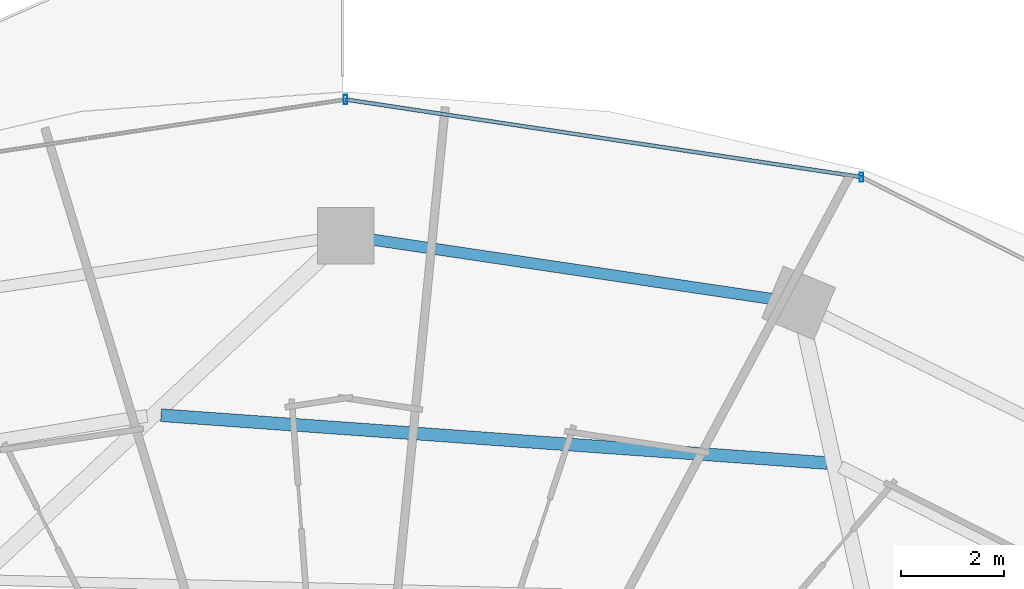
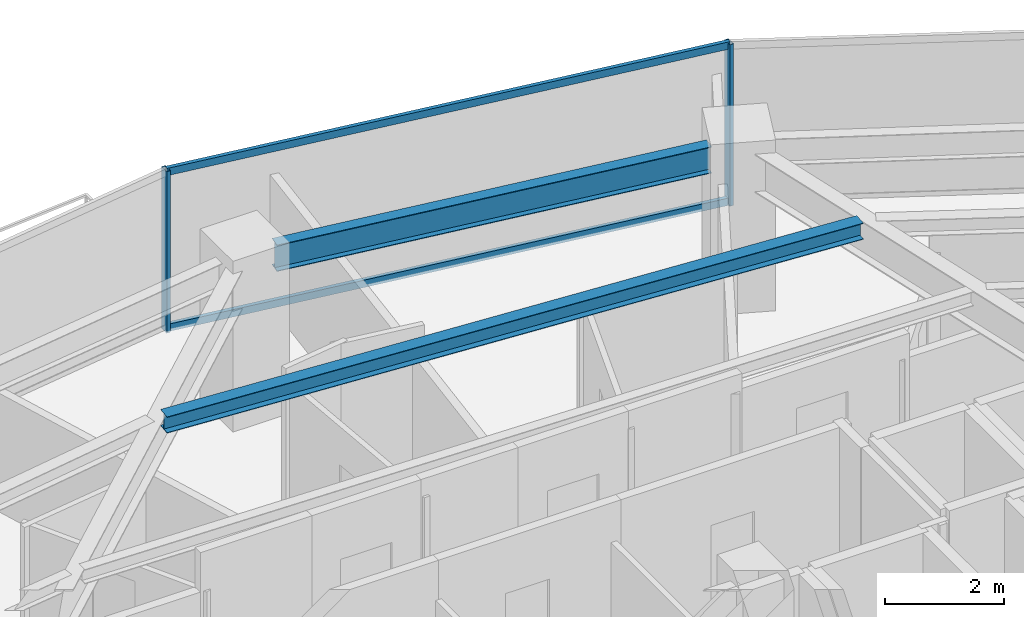
# One storey, part 18 of 29: 4 members, 2 beams, 1 element without a shape of its own.
"""IFC4 building model written with IfcOpenShell, lengths in metres."""

from ifc_helpers import new_model, si_unit, direction, frame, origin, origin_2d, place, context, subcontext, project, spatial, hollow_rectangle, i_section, extrude, material, material_profile, profile_set, type_object, element, aggregate, save


model = new_model("IFC4")

# Units and contexts
model_context = context("Model", 3, precision=1e-05, world=origin(), true_north=direction((0.0, 1.0)))
body_context = subcontext(model_context, "Body", "Model", "MODEL_VIEW")
ifc_project = project(units=[si_unit("LENGTHUNIT", "METRE"), si_unit("AREAUNIT", "SQUARE_METRE"), si_unit("VOLUMEUNIT", "CUBIC_METRE"), si_unit("PLANEANGLEUNIT", "RADIAN"), si_unit("MASSUNIT", "GRAM", prefix="KILO")], contexts=[model_context])

# Site, building, storey
site_placement = place(None, origin())
site = spatial("IfcSite", under=ifc_project, at=site_placement, CompositionType="ELEMENT")
building_placement = place(site_placement, origin())
building = spatial("IfcBuilding", under=site, at=building_placement, Name="Vorneva Point Tower", CompositionType="ELEMENT")
storey_placement = place(building_placement, frame((0.0, 0.0, 110.300048828125)))
storey = spatial("IfcBuildingStorey", under=building, at=storey_placement, Name="L29", CompositionType="ELEMENT", Elevation=110.300048828125)

# Beams
ifc_material_1 = material(Name="Steel S355", Category="steel")
ifc_material_profile_1 = material_profile(ifc_material_1, i_section(OverallWidth=0.2490234375, OverallDepth=0.333984375, WebThickness=0.008056640625, FlangeThickness=0.010986328125, at=origin_2d()), Name="35Sh1")
ifc_profile_set_1 = profile_set([ifc_material_profile_1], Name="Steel S355")
beam_type_1 = type_object("IfcBeamType", Name="BM-SEC-35Sh1", PredefinedType="BEAM", material=ifc_profile_set_1)
beam_1_placement = place(storey_placement, frame((47.373291015625, 38.773681640625, 3.072998046875), z_axis=(-0.997434711896, 0.07158208928, 0.0), x_axis=(-0.07158208928, -0.997434711896, 0.0)))
element("IfcBeam", 1, at=beam_1_placement, inside=storey, type_object=beam_type_1, Name="L29 Secondary Floor Beam 1.04", PredefinedType="BEAM", context=body_context, shape_type="SweptSolid", body=[
    extrude(i_section(OverallWidth=0.2490234375, OverallDepth=0.333984375, WebThickness=0.008056640625, FlangeThickness=0.010986328125, at=origin_2d()), origin(), (0.0, 0.0, 1.0), 12.998046875),
])
ifc_material_profile_2 = material_profile(ifc_material_1, i_section(OverallWidth=0.219970703125, OverallDepth=0.54296875, WebThickness=0.009521484375, FlangeThickness=0.013427734375, at=origin_2d()), Name="55B1")
ifc_profile_set_2 = profile_set([ifc_material_profile_2], Name="Steel S355")
beam_type_2 = type_object("IfcBeamType", Name="BM-SPN-55B1", PredefinedType="SPANDREL", material=ifc_profile_set_2)
beam_2_placement = place(storey_placement, frame((46.291748046875, 41.96923828125, 2.968505859375), z_axis=(-0.989164507783, 0.146811363806, 0.0), x_axis=(-0.146811363806, -0.989164507783, 0.0)))
element("IfcBeam", 2, at=beam_2_placement, inside=storey, type_object=beam_type_2, Name="L29 Perimeter Spandrel Ring Beam 04", PredefinedType="SPANDREL", context=body_context, shape_type="SweptSolid", body=[
    extrude(i_section(OverallWidth=0.219970703125, OverallDepth=0.54296875, WebThickness=0.009521484375, FlangeThickness=0.013427734375, at=origin_2d()), origin(), (0.0, 0.0, 1.0), 7.847412109375),
])

# Curtain wall, members
ifc_material_2 = material(Name="Pale anodised aluminium", Category="aluminium")
curtain_wall_type = type_object("IfcCurtainWallType", Name="CW-HTL-SYS", PredefinedType="NOTDEFINED", material=ifc_material_2)
curtain_wall_placement = place(storey_placement, origin())
curtain_wall = element("IfcCurtainWall", 3, at=curtain_wall_placement, inside=storey, type_object=curtain_wall_type, Name="L29 Unitised Curtain Wall CW-L29-R02", PredefinedType="NOTDEFINED")
ifc_material_profile_3 = material_profile(ifc_material_2, hollow_rectangle(XDim=0.074951171875, YDim=0.179931640625, WallThickness=0.00390625, at=origin_2d()), Name="AL-MUL 180x75x4")
ifc_profile_set_3 = profile_set([ifc_material_profile_3], Name="Pale anodised aluminium")
member_type_1 = type_object("IfcMemberType", Name="CW-MUL-180", PredefinedType="MULLION", material=ifc_profile_set_3)
member_1_placement = place(storey_placement, frame((48.04541015625, 44.339111328125, -0.0400390625), z_axis=(0.0, 0.0, 1.0), x_axis=(1.0, 0.0, 0.0)))
member_1 = element("IfcMember", 4, at=member_1_placement, type_object=member_type_1, Name="CW-L29-R02 Mullion 02", PredefinedType="MULLION", context=body_context, shape_type="SweptSolid", body=[
    extrude(hollow_rectangle(XDim=0.074951171875, YDim=0.179931640625, WallThickness=0.00390625, at=origin_2d()), origin(), (0.0, 0.0, 1.0), 3.31005859375),
])
member_2_placement = place(storey_placement, frame((38.0, 45.85009765625, -0.0400390625), z_axis=(0.0, 0.0, 1.0), x_axis=(1.0, 0.0, 0.0)))
member_2 = element("IfcMember", 5, at=member_2_placement, type_object=member_type_1, Name="CW-L29-R02 Mullion 03", PredefinedType="MULLION", context=body_context, shape_type="SweptSolid", body=[
    extrude(hollow_rectangle(XDim=0.074951171875, YDim=0.179931640625, WallThickness=0.00390625, at=origin_2d()), origin(), (0.0, 0.0, 1.0), 3.31005859375),
])
ifc_material_profile_4 = material_profile(ifc_material_2, hollow_rectangle(XDim=0.074951171875, YDim=0.14990234375, WallThickness=0.00390625, at=origin_2d()), Name="AL-TRN 150x75x4")
ifc_profile_set_4 = profile_set([ifc_material_profile_4], Name="Pale anodised aluminium")
member_type_2 = type_object("IfcMemberType", Name="CW-TRN-150", PredefinedType="USERDEFINED", material=ifc_profile_set_4)
member_3_placement = place(storey_placement, frame((48.04541015625, 44.339111328125, 0.02001953125), z_axis=(-0.988875982167, 0.148742367512, 0.0), x_axis=(-0.148742367512, -0.988875982167, 0.0)))
member_3 = element("IfcMember", 6, at=member_3_placement, type_object=member_type_2, Name="CW-L29-R02 Transom 02.1", ObjectType="TRANSOM", PredefinedType="USERDEFINED", context=body_context, shape_type="SweptSolid", body=[
    extrude(hollow_rectangle(XDim=0.074951171875, YDim=0.14990234375, WallThickness=0.00390625, at=origin_2d()), origin(), (0.0, 0.0, 1.0), 10.158447265625),
])
member_4_placement = place(storey_placement, frame((48.04541015625, 44.339111328125, 3.219970703125), z_axis=(-0.988875982167, 0.148742367512, 0.0), x_axis=(-0.148742367512, -0.988875982167, 0.0)))
member_4 = element("IfcMember", 7, at=member_4_placement, type_object=member_type_2, Name="CW-L29-R02 Transom 02.2", ObjectType="TRANSOM", PredefinedType="USERDEFINED", context=body_context, shape_type="SweptSolid", body=[
    extrude(hollow_rectangle(XDim=0.074951171875, YDim=0.14990234375, WallThickness=0.00390625, at=origin_2d()), origin(), (0.0, 0.0, 1.0), 10.158447265625),
])
aggregate(curtain_wall, [member_1, member_2, member_3, member_4])

save(model, "model.ifc")
